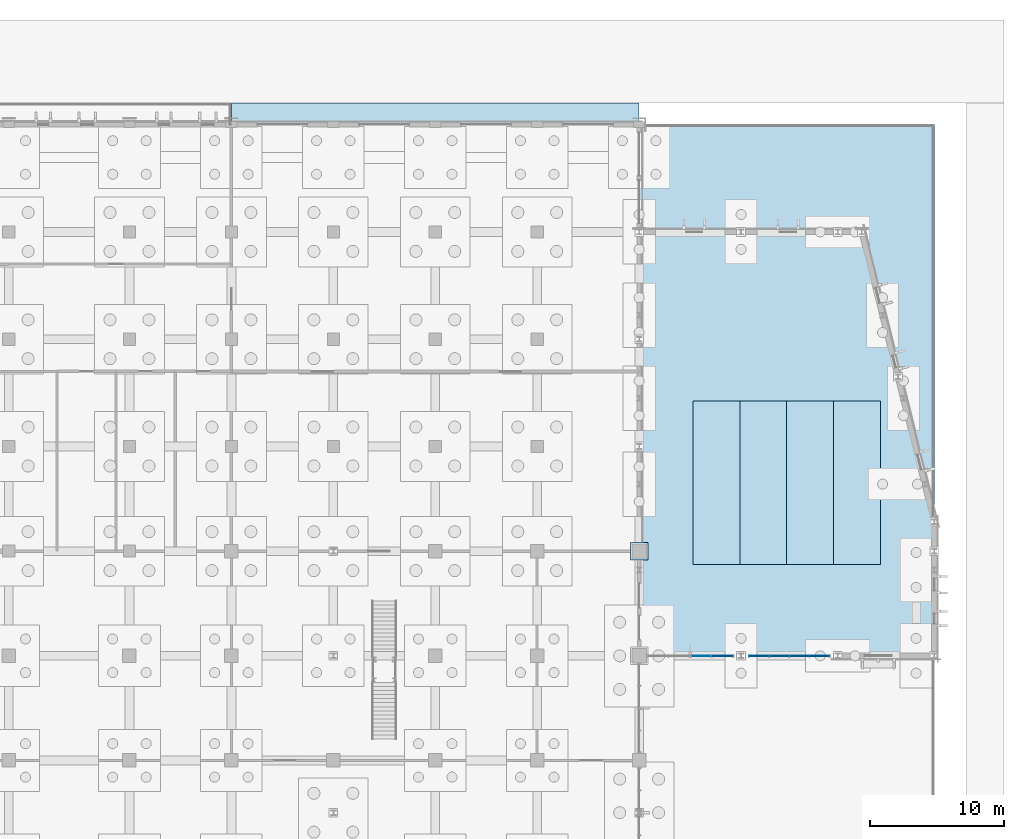
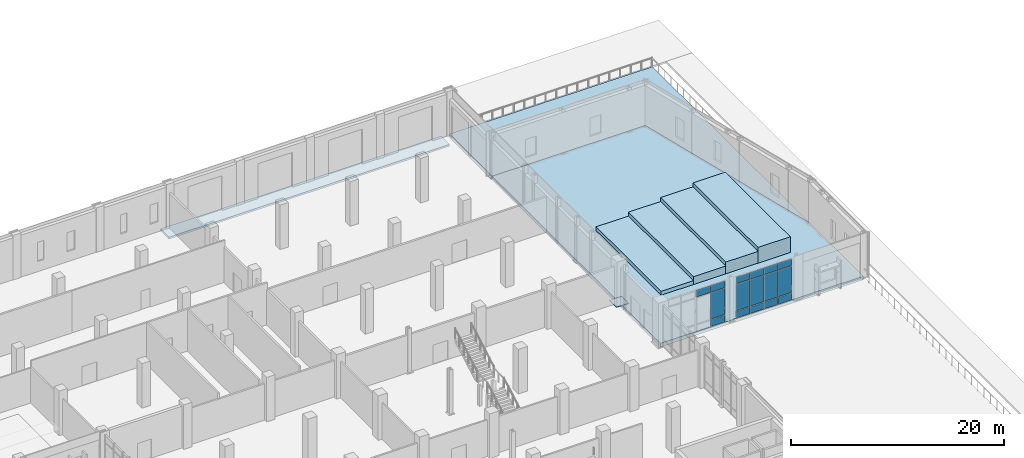
# One storey, part 58 of 94: 17 plates, 7 slabs, 2 elements without a shape of their own.
"""IFC4 building model written with IfcOpenShell, lengths in metres."""

from ifc_helpers import new_model, si_unit, direction, frame, origin, origin_2d, place, context, subcontext, project, spatial, polyline, rectangle, outline, extrude, material, layer, layer_set, type_object, element, aggregate, save


model = new_model("IFC4")

# Units and contexts
model_context = context("Model", 3, precision=1e-05, world=origin(), true_north=direction((0.0, 1.0)))
body_context = subcontext(model_context, "Body", "Model", "MODEL_VIEW")
ifc_project = project(units=[si_unit("LENGTHUNIT", "METRE"), si_unit("AREAUNIT", "SQUARE_METRE"), si_unit("VOLUMEUNIT", "CUBIC_METRE"), si_unit("PLANEANGLEUNIT", "RADIAN"), si_unit("MASSUNIT", "GRAM", prefix="KILO")], contexts=[model_context])

# Site, building, storey
site_placement = place(None, origin())
site = spatial("IfcSite", under=ifc_project, at=site_placement, CompositionType="ELEMENT")
building_placement = place(site_placement, origin())
building = spatial("IfcBuilding", under=site, at=building_placement, Name="Vervanel Yard Central Library", CompositionType="ELEMENT")
storey_placement = place(building_placement, origin())
storey = spatial("IfcBuildingStorey", under=building, at=storey_placement, Name="L00", CompositionType="ELEMENT", Elevation=0.0)

# Slab
ifc_material_1 = material(Name="Concrete C40/50", Category="concrete")
ifc_layer_1 = layer(ifc_material_1, 0.409912109375, Category="concrete")
ifc_layer_set_1 = layer_set([ifc_layer_1], Name="Concrete C40/50")
slab_type_1 = type_object("IfcSlabType", Name="Auditorium Acoustic Base Slab 410", PredefinedType="BASESLAB", material=ifc_layer_set_1)
slab_1_placement = place(storey_placement, frame((0.0, 0.0, -0.409912109375)))
element("IfcSlab", 1, at=slab_1_placement, inside=storey, type_object=slab_type_1, Name="L00 V4 Auditorium Acoustic Base Slab 410", PredefinedType="BASESLAB", context=body_context, shape_type="SweptSolid", body=[
    extrude(outline(polyline([(146.0, 74.39990234375), (168.0, 74.39990234375), (168.0, 84.39990234375), (162.60009765625, 106.0), (146.0, 106.0), (146.0, 74.39990234375)])), origin(), (0.0, 0.0, 1.0), 0.409912109375),
])

# Curtain wall, plates
ifc_material_2 = material(Name="Thermally broken anodized aluminium 6063-T6", Category="aluminium")
curtain_wall_type = type_object("IfcCurtainWallType", Name="Auditorium Foyer Curtain Wall", PredefinedType="NOTDEFINED", material=ifc_material_2)
curtain_wall_1_placement = place(storey_placement, origin())
curtain_wall_1 = element("IfcCurtainWall", 2, at=curtain_wall_1_placement, inside=storey, type_object=curtain_wall_type, Name="L00 Auditorium Foyer Curtain Wall CWR-L00-149", PredefinedType="NOTDEFINED")
ifc_material_3 = material(Name="Double low-E laminated solar-control glass", Category="glass")
ifc_layer_2 = layer(ifc_material_3, 0.035888671875, Category="glass")
ifc_layer_set_2 = layer_set([ifc_layer_2], Name="Double low-E laminated solar-control glass")
plate_type_1 = type_object("IfcPlateType", Name="Auditorium Foyer Tinted Panel 36", PredefinedType="CURTAIN_PANEL", material=ifc_layer_set_2)
plate_1_placement = place(storey_placement, frame((150.626220703125, 74.39990234375, 3.962646484375), z_axis=(0.0, 0.0, 1.0), x_axis=(1.0, 0.0, 0.0)))
plate_1 = element("IfcPlate", 3, at=plate_1_placement, type_object=plate_type_1, Name="CWR-L00-149 Panel B1-3", PredefinedType="CURTAIN_PANEL", context=body_context, shape_type="SweptSolid", body=[
    extrude(rectangle(XDim=1.5224609375, YDim=0.035888671875, at=origin_2d()), origin(), (0.0, 0.0, 1.0), 0.75244140625),
])
plate_2_placement = place(storey_placement, frame((152.2138671875, 74.39990234375, 0.88232421875), z_axis=(0.0, 0.0, 1.0), x_axis=(1.0, 0.0, 0.0)))
plate_2 = element("IfcPlate", 4, at=plate_2_placement, type_object=plate_type_1, Name="CWR-L00-149 Panel B2-2", PredefinedType="CURTAIN_PANEL", context=body_context, shape_type="SweptSolid", body=[
    extrude(rectangle(XDim=1.5224609375, YDim=0.035888671875, at=origin_2d()), origin(), (0.0, 0.0, 1.0), 3.014892578125),
])
plate_3_placement = place(storey_placement, frame((152.2138671875, 74.39990234375, 3.962646484375), z_axis=(0.0, 0.0, 1.0), x_axis=(1.0, 0.0, 0.0)))
plate_3 = element("IfcPlate", 5, at=plate_3_placement, type_object=plate_type_1, Name="CWR-L00-149 Panel B2-3", PredefinedType="CURTAIN_PANEL", context=body_context, shape_type="SweptSolid", body=[
    extrude(rectangle(XDim=1.5224609375, YDim=0.035888671875, at=origin_2d()), origin(), (0.0, 0.0, 1.0), 0.75244140625),
])

curtain_wall_2_placement = place(storey_placement, origin())
curtain_wall_2 = element("IfcCurtainWall", 6, at=curtain_wall_2_placement, inside=storey, type_object=curtain_wall_type, Name="L00 Auditorium Foyer Curtain Wall CWR-L00-150", PredefinedType="NOTDEFINED")
plate_4_placement = place(storey_placement, frame((154.9443359375, 74.39990234375, 0.88232421875), z_axis=(0.0, 0.0, 1.0), x_axis=(1.0, 0.0, 0.0)))
plate_4 = element("IfcPlate", 7, at=plate_4_placement, type_object=plate_type_1, Name="CWR-L00-150 Panel B1-2", PredefinedType="CURTAIN_PANEL", context=body_context, shape_type="SweptSolid", body=[
    extrude(rectangle(XDim=1.438720703125, YDim=0.035888671875, at=origin_2d()), origin(), (0.0, 0.0, 1.0), 3.014892578125),
])
plate_5_placement = place(storey_placement, frame((154.9443359375, 74.39990234375, 3.962646484375), z_axis=(0.0, 0.0, 1.0), x_axis=(1.0, 0.0, 0.0)))
plate_5 = element("IfcPlate", 8, at=plate_5_placement, type_object=plate_type_1, Name="CWR-L00-150 Panel B1-3", PredefinedType="CURTAIN_PANEL", context=body_context, shape_type="SweptSolid", body=[
    extrude(rectangle(XDim=1.438720703125, YDim=0.035888671875, at=origin_2d()), origin(), (0.0, 0.0, 1.0), 0.75244140625),
])
plate_6_placement = place(storey_placement, frame((156.4482421875, 74.39990234375, 0.88232421875), z_axis=(0.0, 0.0, 1.0), x_axis=(1.0, 0.0, 0.0)))
plate_6 = element("IfcPlate", 9, at=plate_6_placement, type_object=plate_type_1, Name="CWR-L00-150 Panel B2-2", PredefinedType="CURTAIN_PANEL", context=body_context, shape_type="SweptSolid", body=[
    extrude(rectangle(XDim=1.438720703125, YDim=0.035888671875, at=origin_2d()), origin(), (0.0, 0.0, 1.0), 3.014892578125),
])
plate_7_placement = place(storey_placement, frame((156.4482421875, 74.39990234375, 3.962646484375), z_axis=(0.0, 0.0, 1.0), x_axis=(1.0, 0.0, 0.0)))
plate_7 = element("IfcPlate", 10, at=plate_7_placement, type_object=plate_type_1, Name="CWR-L00-150 Panel B2-3", PredefinedType="CURTAIN_PANEL", context=body_context, shape_type="SweptSolid", body=[
    extrude(rectangle(XDim=1.438720703125, YDim=0.035888671875, at=origin_2d()), origin(), (0.0, 0.0, 1.0), 0.75244140625),
])
plate_8_placement = place(storey_placement, frame((157.951904296875, 74.39990234375, 0.88232421875), z_axis=(0.0, 0.0, 1.0), x_axis=(1.0, 0.0, 0.0)))
plate_8 = element("IfcPlate", 11, at=plate_8_placement, type_object=plate_type_1, Name="CWR-L00-150 Panel B3-2", PredefinedType="CURTAIN_PANEL", context=body_context, shape_type="SweptSolid", body=[
    extrude(rectangle(XDim=1.438720703125, YDim=0.035888671875, at=origin_2d()), origin(), (0.0, 0.0, 1.0), 3.014892578125),
])
plate_9_placement = place(storey_placement, frame((157.951904296875, 74.39990234375, 3.962646484375), z_axis=(0.0, 0.0, 1.0), x_axis=(1.0, 0.0, 0.0)))
plate_9 = element("IfcPlate", 12, at=plate_9_placement, type_object=plate_type_1, Name="CWR-L00-150 Panel B3-3", PredefinedType="CURTAIN_PANEL", context=body_context, shape_type="SweptSolid", body=[
    extrude(rectangle(XDim=1.438720703125, YDim=0.035888671875, at=origin_2d()), origin(), (0.0, 0.0, 1.0), 0.75244140625),
])
plate_10_placement = place(storey_placement, frame((159.45556640625, 74.39990234375, 0.88232421875), z_axis=(0.0, 0.0, 1.0), x_axis=(1.0, 0.0, 0.0)))
plate_10 = element("IfcPlate", 13, at=plate_10_placement, type_object=plate_type_1, Name="CWR-L00-150 Panel B4-2", PredefinedType="CURTAIN_PANEL", context=body_context, shape_type="SweptSolid", body=[
    extrude(rectangle(XDim=1.438720703125, YDim=0.035888671875, at=origin_2d()), origin(), (0.0, 0.0, 1.0), 3.014892578125),
])
plate_11_placement = place(storey_placement, frame((159.45556640625, 74.39990234375, 3.962646484375), z_axis=(0.0, 0.0, 1.0), x_axis=(1.0, 0.0, 0.0)))
plate_11 = element("IfcPlate", 14, at=plate_11_placement, type_object=plate_type_1, Name="CWR-L00-150 Panel B4-3", PredefinedType="CURTAIN_PANEL", context=body_context, shape_type="SweptSolid", body=[
    extrude(rectangle(XDim=1.438720703125, YDim=0.035888671875, at=origin_2d()), origin(), (0.0, 0.0, 1.0), 0.75244140625),
])

# Slabs
ifc_layer_3 = layer(ifc_material_1, 0.449951171875, Category="concrete")
ifc_layer_set_3 = layer_set([ifc_layer_3], Name="Concrete C40/50")
slab_type_2 = type_object("IfcSlabType", Name="Auditorium Lower Raked Seating Tier 450", PredefinedType="USERDEFINED", material=ifc_layer_set_3)
slab_2_placement = place(storey_placement, origin())
element("IfcSlab", 15, at=slab_2_placement, inside=storey, type_object=slab_type_2, Name="L00 Raked Seating Tier TIER-V4-L00-1", ObjectType="SEATING TIER", PredefinedType="USERDEFINED", context=body_context, shape_type="SweptSolid", body=[
    extrude(outline(polyline([(150.0, 81.199951171875), (153.5, 81.199951171875), (153.5, 93.39990234375), (150.0, 93.39990234375), (150.0, 81.199951171875)])), origin(), (0.0, 0.0, 1.0), 0.449951171875),
])
slab_3_placement = place(storey_placement, origin())
element("IfcSlab", 16, at=slab_3_placement, inside=storey, type_object=slab_type_2, Name="L00 Raked Seating Tier TIER-V4-L00-2", ObjectType="SEATING TIER", PredefinedType="USERDEFINED", context=body_context, shape_type="SweptSolid", body=[
    extrude(outline(polyline([(153.5, 81.199951171875), (157.0, 81.199951171875), (157.0, 93.39990234375), (153.5, 93.39990234375), (153.5, 81.199951171875)])), origin(), (0.0, 0.0, 1.0), 0.89990234375),
])
slab_4_placement = place(storey_placement, origin())
element("IfcSlab", 17, at=slab_4_placement, inside=storey, type_object=slab_type_2, Name="L00 Raked Seating Tier TIER-V4-L00-3", ObjectType="SEATING TIER", PredefinedType="USERDEFINED", context=body_context, shape_type="SweptSolid", body=[
    extrude(outline(polyline([(157.0, 81.199951171875), (160.5, 81.199951171875), (160.5, 93.39990234375), (157.0, 93.39990234375), (157.0, 81.199951171875)])), origin(), (0.0, 0.0, 1.0), 1.35009765625),
])
slab_5_placement = place(storey_placement, origin())
element("IfcSlab", 18, at=slab_5_placement, inside=storey, type_object=slab_type_2, Name="L00 Raked Seating Tier TIER-V4-L00-4", ObjectType="SEATING TIER", PredefinedType="USERDEFINED", context=body_context, shape_type="SweptSolid", body=[
    extrude(outline(polyline([(160.5, 81.199951171875), (164.0, 81.199951171875), (164.0, 93.39990234375), (160.5, 93.39990234375), (160.5, 81.199951171875)])), origin(), (0.0, 0.0, 1.0), 1.800048828125),
])

# Plate
ifc_material_4 = material(Name="Steel ASTM A572 Grade 50", Category="steel")
ifc_layer_4 = layer(ifc_material_4, 0.044921875, Category="steel")
ifc_layer_set_4 = layer_set([ifc_layer_4], Name="Steel ASTM A572 Grade 50")
plate_type_2 = type_object("IfcPlateType", Name="Mega-Column Base Plate 45", PredefinedType="SHEET", material=ifc_layer_set_4)
plate_12_placement = place(storey_placement, frame((146.0, 82.199951171875, 0.0), z_axis=(0.0, 0.0, 1.0), x_axis=(1.0, 0.0, 0.0)))
element("IfcPlate", 19, at=plate_12_placement, inside=storey, type_object=plate_type_2, Name="L00 Column Base Plate 46", PredefinedType="SHEET", context=body_context, shape_type="SweptSolid", body=[
    extrude(rectangle(XDim=1.300048828125, YDim=1.300048828125, at=origin_2d()), origin(), (0.0, 0.0, 1.0), 0.044921875),
])

ifc_material_5 = material(Name="Insulated bronze aluminium spandrel panel", Category="aluminium")
ifc_layer_5 = layer(ifc_material_5, 0.110107421875, Category="aluminium")
ifc_layer_set_5 = layer_set([ifc_layer_5], Name="Insulated bronze aluminium spandrel panel")
plate_type_3 = type_object("IfcPlateType", Name="Slab-Edge Fire-Stop Spandrel 110", PredefinedType="CURTAIN_PANEL", material=ifc_layer_set_5)
plate_13_placement = place(storey_placement, frame((152.2138671875, 74.39990234375, 0.06494140625), z_axis=(0.0, 0.0, 1.0), x_axis=(1.0, 0.0, 0.0)))
plate_13 = element("IfcPlate", 20, at=plate_13_placement, type_object=plate_type_3, Name="CWR-L00-149 Panel B2-1", PredefinedType="CURTAIN_PANEL", context=body_context, shape_type="SweptSolid", body=[
    extrude(rectangle(XDim=1.5224609375, YDim=0.110107421875, at=origin_2d()), origin(), (0.0, 0.0, 1.0), 0.75244140625),
])

aggregate(curtain_wall_1, [plate_1, plate_13, plate_2, plate_3])

plate_14_placement = place(storey_placement, frame((154.9443359375, 74.39990234375, 0.06494140625), z_axis=(0.0, 0.0, 1.0), x_axis=(1.0, 0.0, 0.0)))
plate_14 = element("IfcPlate", 21, at=plate_14_placement, type_object=plate_type_3, Name="CWR-L00-150 Panel B1-1", PredefinedType="CURTAIN_PANEL", context=body_context, shape_type="SweptSolid", body=[
    extrude(rectangle(XDim=1.438720703125, YDim=0.110107421875, at=origin_2d()), origin(), (0.0, 0.0, 1.0), 0.75244140625),
])

plate_15_placement = place(storey_placement, frame((156.4482421875, 74.39990234375, 0.06494140625), z_axis=(0.0, 0.0, 1.0), x_axis=(1.0, 0.0, 0.0)))
plate_15 = element("IfcPlate", 22, at=plate_15_placement, type_object=plate_type_3, Name="CWR-L00-150 Panel B2-1", PredefinedType="CURTAIN_PANEL", context=body_context, shape_type="SweptSolid", body=[
    extrude(rectangle(XDim=1.438720703125, YDim=0.110107421875, at=origin_2d()), origin(), (0.0, 0.0, 1.0), 0.75244140625),
])

plate_16_placement = place(storey_placement, frame((157.951904296875, 74.39990234375, 0.06494140625), z_axis=(0.0, 0.0, 1.0), x_axis=(1.0, 0.0, 0.0)))
plate_16 = element("IfcPlate", 23, at=plate_16_placement, type_object=plate_type_3, Name="CWR-L00-150 Panel B3-1", PredefinedType="CURTAIN_PANEL", context=body_context, shape_type="SweptSolid", body=[
    extrude(rectangle(XDim=1.438720703125, YDim=0.110107421875, at=origin_2d()), origin(), (0.0, 0.0, 1.0), 0.75244140625),
])

plate_17_placement = place(storey_placement, frame((159.45556640625, 74.39990234375, 0.06494140625), z_axis=(0.0, 0.0, 1.0), x_axis=(1.0, 0.0, 0.0)))
plate_17 = element("IfcPlate", 24, at=plate_17_placement, type_object=plate_type_3, Name="CWR-L00-150 Panel B4-1", PredefinedType="CURTAIN_PANEL", context=body_context, shape_type="SweptSolid", body=[
    extrude(rectangle(XDim=1.438720703125, YDim=0.110107421875, at=origin_2d()), origin(), (0.0, 0.0, 1.0), 0.75244140625),
])

aggregate(curtain_wall_2, [plate_14, plate_4, plate_5, plate_15, plate_6, plate_7, plate_16, plate_8, plate_9, plate_17, plate_10, plate_11])

# Slabs
ifc_layer_6 = layer(ifc_material_1, 0.219970703125, Category="concrete")
ifc_layer_set_6 = layer_set([ifc_layer_6], Name="Concrete C40/50")
slab_type_3 = type_object("IfcSlabType", Name="Street Grade Concrete Apron 220", PredefinedType="FLOOR", material=ifc_layer_set_6)
slab_6_placement = place(storey_placement, frame((0.0, 0.0, -1.419921875)))
element("IfcSlab", 25, at=slab_6_placement, inside=storey, type_object=slab_type_3, Name="North Loading Dock Truck Apron", PredefinedType="FLOOR", context=body_context, shape_type="SweptSolid", body=[
    extrude(outline(polyline([(115.60009765625, 114.0), (146.0, 114.0), (146.0, 115.60009765625), (115.60009765625, 115.60009765625), (115.60009765625, 114.0)])), origin(), (0.0, 0.0, 1.0), 0.219970703125),
])
ifc_layer_7 = layer(ifc_material_1, 0.449951171875, Category="concrete")
ifc_layer_set_7 = layer_set([ifc_layer_7], Name="Concrete C40/50")
slab_type_4 = type_object("IfcSlabType", Name="Switchyard Plinth Deck Slab 450", PredefinedType="FLOOR", material=ifc_layer_set_7)
slab_7_placement = place(storey_placement, frame((0.0, 0.0, -0.449951171875)))
element("IfcSlab", 26, at=slab_7_placement, inside=storey, type_object=slab_type_4, Name="Northeast Service Gate and Chamfer Plinth Deck", PredefinedType="FLOOR", context=body_context, shape_type="SweptSolid", body=[
    extrude(outline(polyline([(146.0, 106.0), (162.60009765625, 106.0), (168.0, 84.39990234375), (168.0, 114.0), (146.0, 114.0), (146.0, 106.0)])), origin(), (0.0, 0.0, 1.0), 0.449951171875),
])

save(model, "model.ifc")
